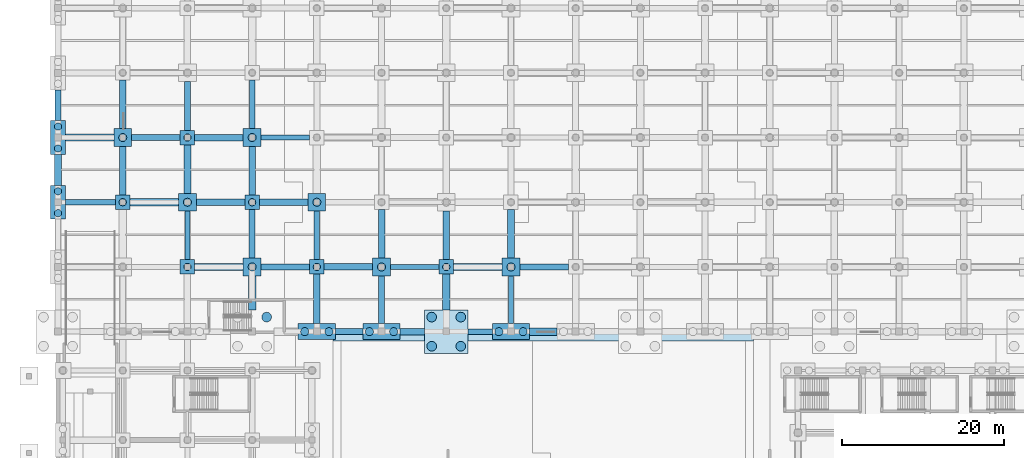
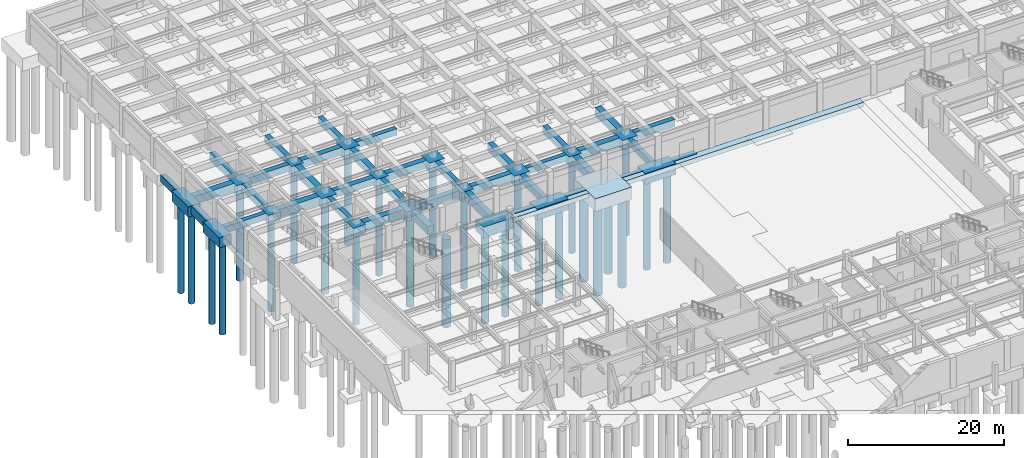
# One storey, part 6 of 48: 57 footings, 28 piles.
"""IFC4 building model written with IfcOpenShell, lengths in metres."""

from ifc_helpers import new_model, si_unit, direction, frame, origin, origin_2d, place, context, subcontext, project, spatial, polyline, rectangle, circle, outline, extrude, material, layer, layer_set, material_profile, profile_set, type_object, element, save


model = new_model("IFC4")

# Units and contexts
model_context = context("Model", 3, precision=1e-05, world=origin(), true_north=direction((0.0, 1.0)))
body_context = subcontext(model_context, "Body", "Model", "MODEL_VIEW")
ifc_project = project(units=[si_unit("LENGTHUNIT", "METRE"), si_unit("AREAUNIT", "SQUARE_METRE"), si_unit("VOLUMEUNIT", "CUBIC_METRE"), si_unit("PLANEANGLEUNIT", "RADIAN"), si_unit("MASSUNIT", "GRAM", prefix="KILO")], contexts=[model_context])

# Site, building, storey
site_placement = place(None, origin())
site = spatial("IfcSite", under=ifc_project, at=site_placement, CompositionType="ELEMENT")
building_placement = place(site_placement, origin())
building = spatial("IfcBuilding", under=site, at=building_placement, Name="Tlacozan Convention Centre", CompositionType="ELEMENT")
storey_placement = place(building_placement, frame((0.0, 0.0, -4.800048828125)))
storey = spatial("IfcBuildingStorey", under=building, at=storey_placement, Name="B01", CompositionType="ELEMENT", Elevation=-4.800048828125)

# Footings
ifc_material = material(Name="Concrete C35/45", Category="concrete")
ifc_layer_1 = layer(ifc_material, 0.699951171875)
ifc_layer_set_1 = layer_set([ifc_layer_1], Name="Concrete C35/45")
footing_type_1 = type_object("IfcFootingType", Name="Courtyard Strip Footing 1000x700", PredefinedType="STRIP_FOOTING", material=ifc_layer_set_1)
footing_1_placement = place(storey_placement, frame((0.0, 0.0, -0.699951171875)))
element("IfcFooting", 1, at=footing_1_placement, inside=storey, type_object=footing_type_1, Name="Strip Footing SF-C2", PredefinedType="STRIP_FOOTING", context=body_context, shape_type="SweptSolid", body=[
    extrude(outline(polyline([(34.0, 60.85009765625), (86.0, 60.85009765625), (86.0, 61.85009765625), (34.0, 61.85009765625), (34.0, 60.85009765625)])), origin(), (0.0, 0.0, 1.0), 0.699951171875),
])
ifc_layer_2 = layer(ifc_material, 1.0)
ifc_layer_set_2 = layer_set([ifc_layer_2], Name="Concrete C35/45")
footing_type_2 = type_object("IfcFootingType", Name="Foundation Tie Beam 650x1000", PredefinedType="FOOTING_BEAM", material=ifc_layer_set_2)
footing_2_placement = place(storey_placement, frame((0.0, 0.0, -1.0)))
element("IfcFooting", 2, at=footing_2_placement, inside=storey, type_object=footing_type_2, Name="Foundation Tie Beam X-133", PredefinedType="FOOTING_BEAM", context=body_context, shape_type="SweptSolid", body=[
    extrude(outline(polyline([(50.699951171875, 61.675048828125), (53.699951171875, 61.675048828125), (53.699951171875, 62.324951171875), (50.699951171875, 62.324951171875), (50.699951171875, 61.675048828125)])), origin(), (0.0, 0.0, 1.0), 1.0),
])
footing_3_placement = place(storey_placement, frame((0.0, 0.0, -1.0)))
element("IfcFooting", 3, at=footing_3_placement, inside=storey, type_object=footing_type_2, Name="Foundation Tie Beam X-153", PredefinedType="FOOTING_BEAM", context=body_context, shape_type="SweptSolid", body=[
    extrude(outline(polyline([(41.10009765625, 69.675048828125), (47.10009765625, 69.675048828125), (47.10009765625, 70.324951171875), (41.10009765625, 70.324951171875), (41.10009765625, 69.675048828125)])), origin(), (0.0, 0.0, 1.0), 1.0),
])
footing_4_placement = place(storey_placement, frame((0.0, 0.0, -1.0)))
element("IfcFooting", 4, at=footing_4_placement, inside=storey, type_object=footing_type_2, Name="Foundation Tie Beam X-169", PredefinedType="FOOTING_BEAM", context=body_context, shape_type="SweptSolid", body=[
    extrude(outline(polyline([(0.89990234375, 77.675048828125), (7.10009765625, 77.675048828125), (7.10009765625, 78.324951171875), (0.89990234375, 78.324951171875), (0.89990234375, 77.675048828125)])), origin(), (0.0, 0.0, 1.0), 1.0),
])
footing_5_placement = place(storey_placement, frame((0.0, 0.0, -1.0)))
element("IfcFooting", 5, at=footing_5_placement, inside=storey, type_object=footing_type_2, Name="Foundation Tie Beam X-193", PredefinedType="FOOTING_BEAM", context=body_context, shape_type="SweptSolid", body=[
    extrude(outline(polyline([(25.10009765625, 85.675048828125), (31.10009765625, 85.675048828125), (31.10009765625, 86.324951171875), (25.10009765625, 86.324951171875), (25.10009765625, 85.675048828125)])), origin(), (0.0, 0.0, 1.0), 1.0),
])
footing_6_placement = place(storey_placement, frame((0.0, 0.0, -1.0)))
element("IfcFooting", 6, at=footing_6_placement, inside=storey, type_object=footing_type_2, Name="Foundation Tie Beam Y-349", PredefinedType="FOOTING_BEAM", context=body_context, shape_type="SweptSolid", body=[
    extrude(outline(polyline([(15.675048828125, 70.89990234375), (16.324951171875, 70.89990234375), (16.324951171875, 76.89990234375), (15.675048828125, 76.89990234375), (15.675048828125, 70.89990234375)])), origin(), (0.0, 0.0, 1.0), 1.0),
])
footing_7_placement = place(storey_placement, frame((0.0, 0.0, -1.0)))
element("IfcFooting", 7, at=footing_7_placement, inside=storey, type_object=footing_type_2, Name="Foundation Tie Beam Y-365", PredefinedType="FOOTING_BEAM", context=body_context, shape_type="SweptSolid", body=[
    extrude(outline(polyline([(23.675048828125, 87.10009765625), (24.324951171875, 87.10009765625), (24.324951171875, 93.10009765625), (23.675048828125, 93.10009765625), (23.675048828125, 87.10009765625)])), origin(), (0.0, 0.0, 1.0), 1.0),
])
footing_8_placement = place(storey_placement, frame((0.0, 0.0, -1.0)))
element("IfcFooting", 8, at=footing_8_placement, inside=storey, type_object=footing_type_2, Name="Foundation Tie Beam Y-377", PredefinedType="FOOTING_BEAM", context=body_context, shape_type="SweptSolid", body=[
    extrude(outline(polyline([(31.675048828125, 70.89990234375), (32.324951171875, 70.89990234375), (32.324951171875, 76.89990234375), (31.675048828125, 76.89990234375), (31.675048828125, 70.89990234375)])), origin(), (0.0, 0.0, 1.0), 1.0),
])
footing_9_placement = place(storey_placement, frame((0.0, 0.0, -1.0)))
element("IfcFooting", 9, at=footing_9_placement, inside=storey, type_object=footing_type_2, Name="Foundation Tie Beam Y-409", PredefinedType="FOOTING_BEAM", context=body_context, shape_type="SweptSolid", body=[
    extrude(outline(polyline([(55.675048828125, 63.0), (56.324951171875, 63.0), (56.324951171875, 68.89990234375), (55.675048828125, 68.89990234375), (55.675048828125, 63.0)])), origin(), (0.0, 0.0, 1.0), 1.0),
])
ifc_layer_3 = layer(ifc_material, 1.10009765625)
ifc_layer_set_3 = layer_set([ifc_layer_3], Name="Concrete C35/45")
footing_type_3 = type_object("IfcFootingType", Name="Foundation Tie Beam 750x1100", PredefinedType="FOOTING_BEAM", material=ifc_layer_set_3)
footing_10_placement = place(storey_placement, frame((0.0, 0.0, -1.099853515625)))
element("IfcFooting", 10, at=footing_10_placement, inside=storey, type_object=footing_type_3, Name="Foundation Tie Beam X-131", PredefinedType="FOOTING_BEAM", context=body_context, shape_type="SweptSolid", body=[
    extrude(outline(polyline([(34.300048828125, 61.625), (37.699951171875, 61.625), (37.699951171875, 62.375), (34.300048828125, 62.375), (34.300048828125, 61.625)])), origin(), (0.0, 0.0, 1.0), 1.099853515625),
])
footing_11_placement = place(storey_placement, frame((0.0, 0.0, -1.099853515625)))
element("IfcFooting", 11, at=footing_11_placement, inside=storey, type_object=footing_type_3, Name="Foundation Tie Beam X-151", PredefinedType="FOOTING_BEAM", context=body_context, shape_type="SweptSolid", body=[
    extrude(outline(polyline([(25.10009765625, 69.625), (31.10009765625, 69.625), (31.10009765625, 70.375), (25.10009765625, 70.375), (25.10009765625, 69.625)])), origin(), (0.0, 0.0, 1.0), 1.099853515625),
])
footing_12_placement = place(storey_placement, frame((0.0, 0.0, -1.099853515625)))
element("IfcFooting", 12, at=footing_12_placement, inside=storey, type_object=footing_type_3, Name="Foundation Tie Beam X-155", PredefinedType="FOOTING_BEAM", context=body_context, shape_type="SweptSolid", body=[
    extrude(outline(polyline([(57.10009765625, 69.625), (63.10009765625, 69.625), (63.10009765625, 70.375), (57.10009765625, 70.375), (57.10009765625, 69.625)])), origin(), (0.0, 0.0, 1.0), 1.099853515625),
])
footing_13_placement = place(storey_placement, frame((0.0, 0.0, -1.099853515625)))
element("IfcFooting", 13, at=footing_13_placement, inside=storey, type_object=footing_type_3, Name="Foundation Tie Beam X-171", PredefinedType="FOOTING_BEAM", context=body_context, shape_type="SweptSolid", body=[
    extrude(outline(polyline([(17.10009765625, 77.625), (23.10009765625, 77.625), (23.10009765625, 78.375), (17.10009765625, 78.375), (17.10009765625, 77.625)])), origin(), (0.0, 0.0, 1.0), 1.099853515625),
])
footing_14_placement = place(storey_placement, frame((0.0, 0.0, -1.099853515625)))
element("IfcFooting", 14, at=footing_14_placement, inside=storey, type_object=footing_type_3, Name="Foundation Tie Beam X-191", PredefinedType="FOOTING_BEAM", context=body_context, shape_type="SweptSolid", body=[
    extrude(outline(polyline([(9.10009765625, 85.625), (15.10009765625, 85.625), (15.10009765625, 86.375), (9.10009765625, 86.375), (9.10009765625, 85.625)])), origin(), (0.0, 0.0, 1.0), 1.099853515625),
])
footing_15_placement = place(storey_placement, frame((0.0, 0.0, -1.099853515625)))
element("IfcFooting", 15, at=footing_15_placement, inside=storey, type_object=footing_type_3, Name="Foundation Tie Beam Y-319", PredefinedType="FOOTING_BEAM", context=body_context, shape_type="SweptSolid", body=[
    extrude(outline(polyline([(-0.375, 88.10009765625), (0.375, 88.10009765625), (0.375, 91.89990234375), (-0.375, 91.89990234375), (-0.375, 88.10009765625)])), origin(), (0.0, 0.0, 1.0), 1.099853515625),
])
footing_16_placement = place(storey_placement, frame((0.0, 0.0, -1.099853515625)))
element("IfcFooting", 16, at=footing_16_placement, inside=storey, type_object=footing_type_3, Name="Foundation Tie Beam Y-335", PredefinedType="FOOTING_BEAM", context=body_context, shape_type="SweptSolid", body=[
    extrude(outline(polyline([(7.625, 78.89990234375), (8.375, 78.89990234375), (8.375, 84.89990234375), (7.625, 84.89990234375), (7.625, 78.89990234375)])), origin(), (0.0, 0.0, 1.0), 1.099853515625),
])
footing_17_placement = place(storey_placement, frame((0.0, 0.0, -1.099853515625)))
element("IfcFooting", 17, at=footing_17_placement, inside=storey, type_object=footing_type_3, Name="Foundation Tie Beam Y-351", PredefinedType="FOOTING_BEAM", context=body_context, shape_type="SweptSolid", body=[
    extrude(outline(polyline([(15.625, 86.89990234375), (16.375, 86.89990234375), (16.375, 92.89990234375), (15.625, 92.89990234375), (15.625, 86.89990234375)])), origin(), (0.0, 0.0, 1.0), 1.099853515625),
])
footing_18_placement = place(storey_placement, frame((0.0, 0.0, -1.099853515625)))
element("IfcFooting", 18, at=footing_18_placement, inside=storey, type_object=footing_type_3, Name="Foundation Tie Beam Y-363", PredefinedType="FOOTING_BEAM", context=body_context, shape_type="SweptSolid", body=[
    extrude(outline(polyline([(23.625, 71.10009765625), (24.375, 71.10009765625), (24.375, 77.10009765625), (23.625, 77.10009765625), (23.625, 71.10009765625)])), origin(), (0.0, 0.0, 1.0), 1.099853515625),
])
footing_19_placement = place(storey_placement, frame((0.0, 0.0, -1.099853515625)))
element("IfcFooting", 19, at=footing_19_placement, inside=storey, type_object=footing_type_3, Name="Foundation Tie Beam Y-387", PredefinedType="FOOTING_BEAM", context=body_context, shape_type="SweptSolid", body=[
    extrude(outline(polyline([(39.625, 63.0), (40.375, 63.0), (40.375, 68.89990234375), (39.625, 68.89990234375), (39.625, 63.0)])), origin(), (0.0, 0.0, 1.0), 1.099853515625),
])
footing_20_placement = place(storey_placement, frame((0.0, 0.0, -1.099853515625)))
element("IfcFooting", 20, at=footing_20_placement, inside=storey, type_object=footing_type_3, Name="Foundation Tie Beam Y-399", PredefinedType="FOOTING_BEAM", context=body_context, shape_type="SweptSolid", body=[
    extrude(outline(polyline([(47.625, 70.89990234375), (48.375, 70.89990234375), (48.375, 76.89990234375), (47.625, 76.89990234375), (47.625, 70.89990234375)])), origin(), (0.0, 0.0, 1.0), 1.099853515625),
])
ifc_layer_4 = layer(ifc_material, 1.199951171875)
ifc_layer_set_4 = layer_set([ifc_layer_4], Name="Concrete C35/45")
footing_type_4 = type_object("IfcFootingType", Name="Foundation Tie Beam 800x1200", PredefinedType="FOOTING_BEAM", material=ifc_layer_set_4)
footing_21_placement = place(storey_placement, frame((0.0, 0.0, -1.199951171875)))
element("IfcFooting", 21, at=footing_21_placement, inside=storey, type_object=footing_type_4, Name="Foundation Tie Beam X-132", PredefinedType="FOOTING_BEAM", context=body_context, shape_type="SweptSolid", body=[
    extrude(outline(polyline([(42.300048828125, 61.60009765625), (45.300048828125, 61.60009765625), (45.300048828125, 62.39990234375), (42.300048828125, 62.39990234375), (42.300048828125, 61.60009765625)])), origin(), (0.0, 0.0, 1.0), 1.199951171875),
])
footing_22_placement = place(storey_placement, frame((0.0, 0.0, -1.199951171875)))
element("IfcFooting", 22, at=footing_22_placement, inside=storey, type_object=footing_type_4, Name="Foundation Tie Beam X-152", PredefinedType="FOOTING_BEAM", context=body_context, shape_type="SweptSolid", body=[
    extrude(outline(polyline([(32.89990234375, 69.60009765625), (38.89990234375, 69.60009765625), (38.89990234375, 70.39990234375), (32.89990234375, 70.39990234375), (32.89990234375, 69.60009765625)])), origin(), (0.0, 0.0, 1.0), 1.199951171875),
])
footing_23_placement = place(storey_placement, frame((0.0, 0.0, -1.199951171875)))
element("IfcFooting", 23, at=footing_23_placement, inside=storey, type_object=footing_type_4, Name="Foundation Tie Beam X-172", PredefinedType="FOOTING_BEAM", context=body_context, shape_type="SweptSolid", body=[
    extrude(outline(polyline([(24.89990234375, 77.60009765625), (30.89990234375, 77.60009765625), (30.89990234375, 78.39990234375), (24.89990234375, 78.39990234375), (24.89990234375, 77.60009765625)])), origin(), (0.0, 0.0, 1.0), 1.199951171875),
])
footing_24_placement = place(storey_placement, frame((0.0, 0.0, -1.199951171875)))
element("IfcFooting", 24, at=footing_24_placement, inside=storey, type_object=footing_type_4, Name="Foundation Tie Beam X-192", PredefinedType="FOOTING_BEAM", context=body_context, shape_type="SweptSolid", body=[
    extrude(outline(polyline([(16.89990234375, 85.60009765625), (22.89990234375, 85.60009765625), (22.89990234375, 86.39990234375), (16.89990234375, 86.39990234375), (16.89990234375, 85.60009765625)])), origin(), (0.0, 0.0, 1.0), 1.199951171875),
])
footing_25_placement = place(storey_placement, frame((0.0, 0.0, -1.199951171875)))
element("IfcFooting", 25, at=footing_25_placement, inside=storey, type_object=footing_type_4, Name="Foundation Tie Beam Y-336", PredefinedType="FOOTING_BEAM", context=body_context, shape_type="SweptSolid", body=[
    extrude(outline(polyline([(7.60009765625, 87.10009765625), (8.39990234375, 87.10009765625), (8.39990234375, 93.10009765625), (7.60009765625, 93.10009765625), (7.60009765625, 87.10009765625)])), origin(), (0.0, 0.0, 1.0), 1.199951171875),
])
footing_26_placement = place(storey_placement, frame((0.0, 0.0, -1.199951171875)))
element("IfcFooting", 26, at=footing_26_placement, inside=storey, type_object=footing_type_4, Name="Foundation Tie Beam Y-364", PredefinedType="FOOTING_BEAM", context=body_context, shape_type="SweptSolid", body=[
    extrude(outline(polyline([(23.60009765625, 78.89990234375), (24.39990234375, 78.89990234375), (24.39990234375, 84.89990234375), (23.60009765625, 84.89990234375), (23.60009765625, 78.89990234375)])), origin(), (0.0, 0.0, 1.0), 1.199951171875),
])
footing_27_placement = place(storey_placement, frame((0.0, 0.0, -1.199951171875)))
element("IfcFooting", 27, at=footing_27_placement, inside=storey, type_object=footing_type_4, Name="Foundation Tie Beam Y-376", PredefinedType="FOOTING_BEAM", context=body_context, shape_type="SweptSolid", body=[
    extrude(outline(polyline([(31.60009765625, 63.0), (32.39990234375, 63.0), (32.39990234375, 69.10009765625), (31.60009765625, 69.10009765625), (31.60009765625, 63.0)])), origin(), (0.0, 0.0, 1.0), 1.199951171875),
])
footing_28_placement = place(storey_placement, frame((0.0, 0.0, -1.199951171875)))
element("IfcFooting", 28, at=footing_28_placement, inside=storey, type_object=footing_type_4, Name="Foundation Tie Beam Y-388", PredefinedType="FOOTING_BEAM", context=body_context, shape_type="SweptSolid", body=[
    extrude(outline(polyline([(39.60009765625, 71.10009765625), (40.39990234375, 71.10009765625), (40.39990234375, 77.10009765625), (39.60009765625, 77.10009765625), (39.60009765625, 71.10009765625)])), origin(), (0.0, 0.0, 1.0), 1.199951171875),
])
ifc_layer_5 = layer(ifc_material, 1.300048828125)
ifc_layer_set_5 = layer_set([ifc_layer_5], Name="Concrete C35/45")
footing_type_5 = type_object("IfcFootingType", Name="Foundation Tie Beam 900x1300", PredefinedType="FOOTING_BEAM", material=ifc_layer_set_5)
footing_29_placement = place(storey_placement, frame((0.0, 0.0, -1.300048828125)))
element("IfcFooting", 29, at=footing_29_placement, inside=storey, type_object=footing_type_5, Name="Foundation Tie Beam X-134", PredefinedType="FOOTING_BEAM", context=body_context, shape_type="SweptSolid", body=[
    extrude(outline(polyline([(58.300048828125, 61.550048828125), (61.699951171875, 61.550048828125), (61.699951171875, 62.449951171875), (58.300048828125, 62.449951171875), (58.300048828125, 61.550048828125)])), origin(), (0.0, 0.0, 1.0), 1.300048828125),
])
footing_30_placement = place(storey_placement, frame((0.0, 0.0, -1.300048828125)))
element("IfcFooting", 30, at=footing_30_placement, inside=storey, type_object=footing_type_5, Name="Foundation Tie Beam X-150", PredefinedType="FOOTING_BEAM", context=body_context, shape_type="SweptSolid", body=[
    extrude(outline(polyline([(16.89990234375, 69.550048828125), (22.89990234375, 69.550048828125), (22.89990234375, 70.449951171875), (16.89990234375, 70.449951171875), (16.89990234375, 69.550048828125)])), origin(), (0.0, 0.0, 1.0), 1.300048828125),
])
footing_31_placement = place(storey_placement, frame((0.0, 0.0, -1.300048828125)))
element("IfcFooting", 31, at=footing_31_placement, inside=storey, type_object=footing_type_5, Name="Foundation Tie Beam X-154", PredefinedType="FOOTING_BEAM", context=body_context, shape_type="SweptSolid", body=[
    extrude(outline(polyline([(48.89990234375, 69.550048828125), (54.89990234375, 69.550048828125), (54.89990234375, 70.449951171875), (48.89990234375, 70.449951171875), (48.89990234375, 69.550048828125)])), origin(), (0.0, 0.0, 1.0), 1.300048828125),
])
footing_32_placement = place(storey_placement, frame((0.0, 0.0, -1.300048828125)))
element("IfcFooting", 32, at=footing_32_placement, inside=storey, type_object=footing_type_5, Name="Foundation Tie Beam X-170", PredefinedType="FOOTING_BEAM", context=body_context, shape_type="SweptSolid", body=[
    extrude(outline(polyline([(8.89990234375, 77.550048828125), (14.89990234375, 77.550048828125), (14.89990234375, 78.449951171875), (8.89990234375, 78.449951171875), (8.89990234375, 77.550048828125)])), origin(), (0.0, 0.0, 1.0), 1.300048828125),
])
footing_33_placement = place(storey_placement, frame((0.0, 0.0, -1.300048828125)))
element("IfcFooting", 33, at=footing_33_placement, inside=storey, type_object=footing_type_5, Name="Foundation Tie Beam X-190", PredefinedType="FOOTING_BEAM", context=body_context, shape_type="SweptSolid", body=[
    extrude(outline(polyline([(0.89990234375, 85.550048828125), (6.89990234375, 85.550048828125), (6.89990234375, 86.449951171875), (0.89990234375, 86.449951171875), (0.89990234375, 85.550048828125)])), origin(), (0.0, 0.0, 1.0), 1.300048828125),
])
footing_34_placement = place(storey_placement, frame((0.0, 0.0, -1.300048828125)))
element("IfcFooting", 34, at=footing_34_placement, inside=storey, type_object=footing_type_5, Name="Foundation Tie Beam Y-318", PredefinedType="FOOTING_BEAM", context=body_context, shape_type="SweptSolid", body=[
    extrude(outline(polyline([(-0.449951171875, 80.10009765625), (0.449951171875, 80.10009765625), (0.449951171875, 83.89990234375), (-0.449951171875, 83.89990234375), (-0.449951171875, 80.10009765625)])), origin(), (0.0, 0.0, 1.0), 1.300048828125),
])
footing_35_placement = place(storey_placement, frame((0.0, 0.0, -1.300048828125)))
element("IfcFooting", 35, at=footing_35_placement, inside=storey, type_object=footing_type_5, Name="Foundation Tie Beam Y-350", PredefinedType="FOOTING_BEAM", context=body_context, shape_type="SweptSolid", body=[
    extrude(outline(polyline([(15.550048828125, 79.10009765625), (16.449951171875, 79.10009765625), (16.449951171875, 85.10009765625), (15.550048828125, 85.10009765625), (15.550048828125, 79.10009765625)])), origin(), (0.0, 0.0, 1.0), 1.300048828125),
])
footing_36_placement = place(storey_placement, frame((0.0, 0.0, -1.300048828125)))
element("IfcFooting", 36, at=footing_36_placement, inside=storey, type_object=footing_type_5, Name="Foundation Tie Beam Y-362", PredefinedType="FOOTING_BEAM", context=body_context, shape_type="SweptSolid", body=[
    extrude(outline(polyline([(23.550048828125, 64.699951171875), (24.449951171875, 64.699951171875), (24.449951171875, 68.89990234375), (23.550048828125, 68.89990234375), (23.550048828125, 64.699951171875)])), origin(), (0.0, 0.0, 1.0), 1.300048828125),
])
footing_37_placement = place(storey_placement, frame((0.0, 0.0, -1.300048828125)))
element("IfcFooting", 37, at=footing_37_placement, inside=storey, type_object=footing_type_5, Name="Foundation Tie Beam Y-398", PredefinedType="FOOTING_BEAM", context=body_context, shape_type="SweptSolid", body=[
    extrude(outline(polyline([(47.550048828125, 64.699951171875), (48.449951171875, 64.699951171875), (48.449951171875, 69.10009765625), (47.550048828125, 69.10009765625), (47.550048828125, 64.699951171875)])), origin(), (0.0, 0.0, 1.0), 1.300048828125),
])
footing_38_placement = place(storey_placement, frame((0.0, 0.0, -1.300048828125)))
element("IfcFooting", 38, at=footing_38_placement, inside=storey, type_object=footing_type_5, Name="Foundation Tie Beam Y-410", PredefinedType="FOOTING_BEAM", context=body_context, shape_type="SweptSolid", body=[
    extrude(outline(polyline([(55.550048828125, 71.10009765625), (56.449951171875, 71.10009765625), (56.449951171875, 77.10009765625), (55.550048828125, 77.10009765625), (55.550048828125, 71.10009765625)])), origin(), (0.0, 0.0, 1.0), 1.300048828125),
])
ifc_layer_6 = layer(ifc_material, 1.39990234375)
ifc_layer_set_6 = layer_set([ifc_layer_6], Name="Concrete C35/45")
footing_type_6 = type_object("IfcFootingType", Name="Pile Cap 1P 1800x1800x1400", PredefinedType="PILE_CAP", material=ifc_layer_set_6)
for number, where, z_axis, x_axis, name in (
    (39, (8.0, 78.0, -1.39990234375), (0.0, 0.0, 1.0), (1.0, 0.0, 0.0), "Pile Cap PC-01 (23)"),
    (40, (16.0, 70.0, -1.39990234375), (0.0, 0.0, 1.0), (1.0, 0.0, 0.0), "Pile Cap PC-01 (39)"),
    (41, (16.0, 86.0, -1.39990234375), (0.0, 0.0, 1.0), (1.0, 0.0, 0.0), "Pile Cap PC-01 (41)"),
    (42, (24.0, 78.0, -1.39990234375), (0.0, 0.0, 1.0), (1.0, 0.0, 0.0), "Pile Cap PC-01 (57)"),
    (43, (32.0, 70.0, -1.39990234375), (0.0, 0.0, 1.0), (1.0, 0.0, 0.0), "Pile Cap PC-01 (73)"),
    (44, (48.0, 70.0, -1.39990234375), (0.0, 0.0, 1.0), (1.0, 0.0, 0.0), "Pile Cap PC-01 (99)"),
):
    element("IfcFooting", number, at=place(storey_placement, frame(where, z_axis=z_axis, x_axis=x_axis)), inside=storey, type_object=footing_type_6, Name=name, PredefinedType="PILE_CAP", context=body_context, shape_type="SweptSolid", body=[
        extrude(rectangle(XDim=1.800048828125, YDim=1.800048828125, at=origin_2d()), origin(), (0.0, 0.0, 1.0), 1.39990234375),
    ])
ifc_layer_7 = layer(ifc_material, 1.550048828125)
ifc_layer_set_7 = layer_set([ifc_layer_7], Name="Concrete C35/45")
footing_type_7 = type_object("IfcFootingType", Name="Pile Cap 1P 2200x2200x1550", PredefinedType="PILE_CAP", material=ifc_layer_set_7)
for number, where, z_axis, x_axis, name in (
    (45, (8.0, 86.0, -1.5498046875), (0.0, 0.0, 1.0), (1.0, 0.0, 0.0), "Pile Cap PC-09 (24)"),
    (46, (16.0, 78.0, -1.5498046875), (0.0, 0.0, 1.0), (1.0, 0.0, 0.0), "Pile Cap PC-09 (40)"),
    (47, (24.0, 70.0, -1.5498046875), (0.0, 0.0, 1.0), (1.0, 0.0, 0.0), "Pile Cap PC-09 (56)"),
    (48, (24.0, 86.0, -1.5498046875), (0.0, 0.0, 1.0), (1.0, 0.0, 0.0), "Pile Cap PC-09 (58)"),
    (49, (32.0, 78.0, -1.5498046875), (0.0, 0.0, 1.0), (1.0, 0.0, 0.0), "Pile Cap PC-09 (74)"),
    (50, (40.0, 70.0, -1.5498046875), (0.0, 0.0, 1.0), (1.0, 0.0, 0.0), "Pile Cap PC-09 (86)"),
    (51, (56.0, 70.0, -1.5498046875), (0.0, 0.0, 1.0), (1.0, 0.0, 0.0), "Pile Cap PC-09 (112)"),
):
    element("IfcFooting", number, at=place(storey_placement, frame(where, z_axis=z_axis, x_axis=x_axis)), inside=storey, type_object=footing_type_7, Name=name, PredefinedType="PILE_CAP", context=body_context, shape_type="SweptSolid", body=[
        extrude(rectangle(XDim=2.199951171875, YDim=2.199951171875, at=origin_2d()), origin(), (0.0, 0.0, 1.0), 1.550048828125),
    ])
ifc_layer_8 = layer(ifc_material, 1.60009765625)
ifc_layer_set_8 = layer_set([ifc_layer_8], Name="Concrete C35/45")
footing_type_8 = type_object("IfcFootingType", Name="Pile Cap 2P 1800x4200x1600", PredefinedType="PILE_CAP", material=ifc_layer_set_8)
for number, where, z_axis, x_axis, name in (
    (52, (0.0, 78.0, -1.60009765625), (0.0, 0.0, 1.0), (1.0, 0.0, 0.0), "Pile Cap PC-04 (3)"),
    (53, (0.0, 86.0, -1.60009765625), (0.0, 0.0, 1.0), (1.0, 0.0, 0.0), "Pile Cap PC-04 (4)"),
):
    element("IfcFooting", number, at=place(storey_placement, frame(where, z_axis=z_axis, x_axis=x_axis)), inside=storey, type_object=footing_type_8, Name=name, PredefinedType="PILE_CAP", context=body_context, shape_type="SweptSolid", body=[
        extrude(rectangle(XDim=1.800048828125, YDim=4.199951171875, at=origin_2d()), origin(), (0.0, 0.0, 1.0), 1.60009765625),
    ])
ifc_layer_9 = layer(ifc_material, 1.699951171875)
ifc_layer_set_9 = layer_set([ifc_layer_9], Name="Concrete C35/45")
footing_type_9 = type_object("IfcFootingType", Name="Pile Cap 2P 4600x2000x1700", PredefinedType="PILE_CAP", material=ifc_layer_set_9)
for number, where, z_axis, x_axis, name in (
    (54, (32.0, 62.0, -1.69970703125), (0.0, 0.0, 1.0), (1.0, 0.0, 0.0), "Pile Cap PC-05 (72)"),
    (55, (40.0, 62.0, -1.69970703125), (0.0, 0.0, 1.0), (1.0, 0.0, 0.0), "Pile Cap PC-05 (85)"),
    (56, (56.0, 62.0, -1.69970703125), (0.0, 0.0, 1.0), (1.0, 0.0, 0.0), "Pile Cap PC-05 (111)"),
):
    element("IfcFooting", number, at=place(storey_placement, frame(where, z_axis=z_axis, x_axis=x_axis)), inside=storey, type_object=footing_type_9, Name=name, PredefinedType="PILE_CAP", context=body_context, shape_type="SweptSolid", body=[
        extrude(rectangle(XDim=4.60009765625, YDim=2.0, at=origin_2d()), origin(), (0.0, 0.0, 1.0), 1.699951171875),
    ])
ifc_layer_10 = layer(ifc_material, 2.0)
ifc_layer_set_10 = layer_set([ifc_layer_10], Name="Concrete C35/45")
footing_type_10 = type_object("IfcFootingType", Name="Pile Cap 4P 5400x5400x2000", PredefinedType="PILE_CAP", material=ifc_layer_set_10)
footing_39_placement = place(storey_placement, frame((48.0, 62.0, -2.0), z_axis=(0.0, 0.0, 1.0), x_axis=(1.0, 0.0, 0.0)))
element("IfcFooting", 57, at=footing_39_placement, inside=storey, type_object=footing_type_10, Name="Pile Cap PC-08 (98)", PredefinedType="PILE_CAP", context=body_context, shape_type="SweptSolid", body=[
    extrude(rectangle(XDim=5.39990234375, YDim=5.39990234375, at=origin_2d()), origin(), (0.0, 0.0, 1.0), 2.0),
])

# Piles
ifc_material_profile_1 = material_profile(ifc_material, circle(Radius=0.5, at=origin_2d()), Name="PILE D1000")
ifc_profile_set_1 = profile_set([ifc_material_profile_1], Name="Concrete C35/45")
pile_type_1 = type_object("IfcPileType", Name="Pile D1000 Bored", PredefinedType="BORED", material=ifc_profile_set_1)
for number, where, z_axis, x_axis, name in (
    (58, (8.0, 86.0, -1.429931640625), (0.0, 0.0, -1.0), (1.0, 0.0, 0.0), "Bored Pile 52"),
    (59, (16.0, 78.0, -1.429931640625), (0.0, 0.0, -1.0), (1.0, 0.0, 0.0), "Bored Pile 80"),
    (60, (24.0, 70.0, -1.429931640625), (0.0, 0.0, -1.0), (1.0, 0.0, 0.0), "Bored Pile 110"),
    (61, (24.0, 86.0, -1.429931640625), (0.0, 0.0, -1.0), (1.0, 0.0, 0.0), "Bored Pile 112"),
):
    element("IfcPile", number, at=place(storey_placement, frame(where, z_axis=z_axis, x_axis=x_axis)), inside=storey, type_object=pile_type_1, Name=name, PredefinedType="BORED", context=body_context, shape_type="SweptSolid", body=[
        extrude(circle(Radius=0.5, at=origin_2d()), origin(), (0.0, 0.0, 1.0), 14.27001953125),
    ])
for number, where, z_axis, x_axis, name in (
    (62, (30.5, 62.0, -1.579833984375), (0.0, 0.0, -1.0), (1.0, 0.0, 0.0), "Bored Pile 141"),
    (63, (33.5, 62.0, -1.579833984375), (0.0, 0.0, -1.0), (1.0, 0.0, 0.0), "Bored Pile 142"),
):
    element("IfcPile", number, at=place(storey_placement, frame(where, z_axis=z_axis, x_axis=x_axis)), inside=storey, type_object=pile_type_1, Name=name, PredefinedType="BORED", context=body_context, shape_type="SweptSolid", body=[
        extrude(circle(Radius=0.5, at=origin_2d()), origin(), (0.0, 0.0, 1.0), 14.1201171875),
    ])
pile_1_placement = place(storey_placement, frame((32.0, 78.0, -1.429931640625), z_axis=(0.0, 0.0, -1.0), x_axis=(1.0, 0.0, 0.0)))
element("IfcPile", 64, at=pile_1_placement, inside=storey, type_object=pile_type_1, Name="Bored Pile 144", PredefinedType="BORED", context=body_context, shape_type="SweptSolid", body=[
    extrude(circle(Radius=0.5, at=origin_2d()), origin(), (0.0, 0.0, 1.0), 14.27001953125),
])
for number, where, z_axis, x_axis, name in (
    (65, (38.5, 62.0, -1.579833984375), (0.0, 0.0, -1.0), (1.0, 0.0, 0.0), "Bored Pile 166"),
    (66, (41.5, 62.0, -1.579833984375), (0.0, 0.0, -1.0), (1.0, 0.0, 0.0), "Bored Pile 167"),
):
    element("IfcPile", number, at=place(storey_placement, frame(where, z_axis=z_axis, x_axis=x_axis)), inside=storey, type_object=pile_type_1, Name=name, PredefinedType="BORED", context=body_context, shape_type="SweptSolid", body=[
        extrude(circle(Radius=0.5, at=origin_2d()), origin(), (0.0, 0.0, 1.0), 14.1201171875),
    ])
pile_2_placement = place(storey_placement, frame((40.0, 70.0, -1.429931640625), z_axis=(0.0, 0.0, -1.0), x_axis=(1.0, 0.0, 0.0)))
element("IfcPile", 67, at=pile_2_placement, inside=storey, type_object=pile_type_1, Name="Bored Pile 168", PredefinedType="BORED", context=body_context, shape_type="SweptSolid", body=[
    extrude(circle(Radius=0.5, at=origin_2d()), origin(), (0.0, 0.0, 1.0), 14.27001953125),
])
for number, where, z_axis, x_axis, name in (
    (68, (54.5, 62.0, -1.579833984375), (0.0, 0.0, -1.0), (1.0, 0.0, 0.0), "Bored Pile 220"),
    (69, (57.5, 62.0, -1.579833984375), (0.0, 0.0, -1.0), (1.0, 0.0, 0.0), "Bored Pile 221"),
):
    element("IfcPile", number, at=place(storey_placement, frame(where, z_axis=z_axis, x_axis=x_axis)), inside=storey, type_object=pile_type_1, Name=name, PredefinedType="BORED", context=body_context, shape_type="SweptSolid", body=[
        extrude(circle(Radius=0.5, at=origin_2d()), origin(), (0.0, 0.0, 1.0), 14.1201171875),
    ])
pile_3_placement = place(storey_placement, frame((56.0, 70.0, -1.429931640625), z_axis=(0.0, 0.0, -1.0), x_axis=(1.0, 0.0, 0.0)))
element("IfcPile", 70, at=pile_3_placement, inside=storey, type_object=pile_type_1, Name="Bored Pile 222", PredefinedType="BORED", context=body_context, shape_type="SweptSolid", body=[
    extrude(circle(Radius=0.5, at=origin_2d()), origin(), (0.0, 0.0, 1.0), 14.27001953125),
])
ifc_material_profile_2 = material_profile(ifc_material, circle(Radius=0.60009765625, at=origin_2d()), Name="PILE D1200")
ifc_profile_set_2 = profile_set([ifc_material_profile_2], Name="Concrete C35/45")
pile_type_2 = type_object("IfcPileType", Name="Pile D1200 Bored", PredefinedType="BORED", material=ifc_profile_set_2)
for number, where, z_axis, x_axis, name in (
    (71, (25.800048828125, 63.800048828125, -1.8798828125), (0.0, 0.0, -1.0), (1.0, 0.0, 0.0), "Bored Pile 109"),
    (72, (46.199951171875, 60.199951171875, -1.8798828125), (0.0, 0.0, -1.0), (1.0, 0.0, 0.0), "Bored Pile 191"),
    (73, (49.800048828125, 60.199951171875, -1.8798828125), (0.0, 0.0, -1.0), (1.0, 0.0, 0.0), "Bored Pile 192"),
    (74, (46.199951171875, 63.800048828125, -1.8798828125), (0.0, 0.0, -1.0), (1.0, 0.0, 0.0), "Bored Pile 193"),
    (75, (49.800048828125, 63.800048828125, -1.8798828125), (0.0, 0.0, -1.0), (1.0, 0.0, 0.0), "Bored Pile 194"),
):
    element("IfcPile", number, at=place(storey_placement, frame(where, z_axis=z_axis, x_axis=x_axis)), inside=storey, type_object=pile_type_2, Name=name, PredefinedType="BORED", context=body_context, shape_type="SweptSolid", body=[
        extrude(circle(Radius=0.60009765625, at=origin_2d()), origin(), (0.0, 0.0, 1.0), 13.820068359375),
    ])
ifc_material_profile_3 = material_profile(ifc_material, circle(Radius=0.449951171875, at=origin_2d()), Name="PILE D900")
ifc_profile_set_3 = profile_set([ifc_material_profile_3], Name="Concrete C35/45")
pile_type_3 = type_object("IfcPileType", Name="Pile D900 Bored", PredefinedType="BORED", material=ifc_profile_set_3)
for number, where, z_axis, x_axis, name in (
    (76, (0.0, 76.64990234375, -1.47998046875), (0.0, 0.0, -1.0), (1.0, 0.0, 0.0), "Bored Pile 7"),
    (77, (0.0, 79.35009765625, -1.47998046875), (0.0, 0.0, -1.0), (1.0, 0.0, 0.0), "Bored Pile 8"),
    (78, (0.0, 84.64990234375, -1.47998046875), (0.0, 0.0, -1.0), (1.0, 0.0, 0.0), "Bored Pile 9"),
    (79, (0.0, 87.35009765625, -1.47998046875), (0.0, 0.0, -1.0), (1.0, 0.0, 0.0), "Bored Pile 10"),
):
    element("IfcPile", number, at=place(storey_placement, frame(where, z_axis=z_axis, x_axis=x_axis)), inside=storey, type_object=pile_type_3, Name=name, PredefinedType="BORED", context=body_context, shape_type="SweptSolid", body=[
        extrude(circle(Radius=0.449951171875, at=origin_2d()), origin(), (0.0, 0.0, 1.0), 14.219970703125),
    ])
for number, where, z_axis, x_axis, name in (
    (80, (8.0, 78.0, -1.280029296875), (0.0, 0.0, -1.0), (1.0, 0.0, 0.0), "Bored Pile 51"),
    (81, (16.0, 70.0, -1.280029296875), (0.0, 0.0, -1.0), (1.0, 0.0, 0.0), "Bored Pile 79"),
    (82, (16.0, 86.0, -1.280029296875), (0.0, 0.0, -1.0), (1.0, 0.0, 0.0), "Bored Pile 81"),
    (83, (24.0, 78.0, -1.280029296875), (0.0, 0.0, -1.0), (1.0, 0.0, 0.0), "Bored Pile 111"),
    (84, (32.0, 70.0, -1.280029296875), (0.0, 0.0, -1.0), (1.0, 0.0, 0.0), "Bored Pile 143"),
    (85, (48.0, 70.0, -1.280029296875), (0.0, 0.0, -1.0), (1.0, 0.0, 0.0), "Bored Pile 195"),
):
    element("IfcPile", number, at=place(storey_placement, frame(where, z_axis=z_axis, x_axis=x_axis)), inside=storey, type_object=pile_type_3, Name=name, PredefinedType="BORED", context=body_context, shape_type="SweptSolid", body=[
        extrude(circle(Radius=0.449951171875, at=origin_2d()), origin(), (0.0, 0.0, 1.0), 14.419921875),
    ])

save(model, "model.ifc")
